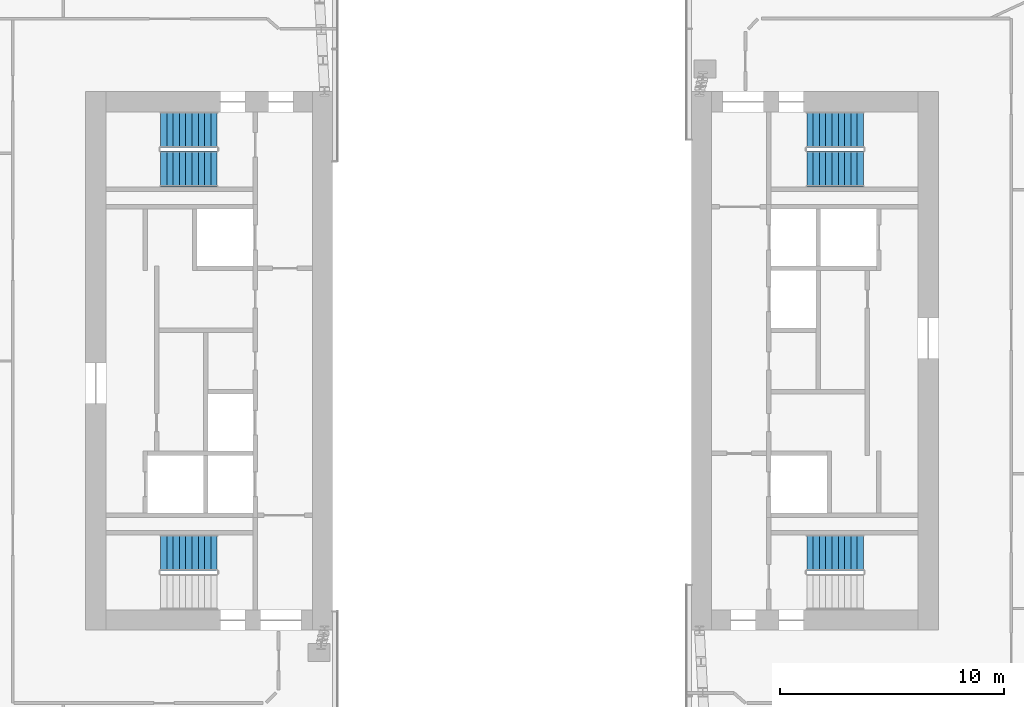
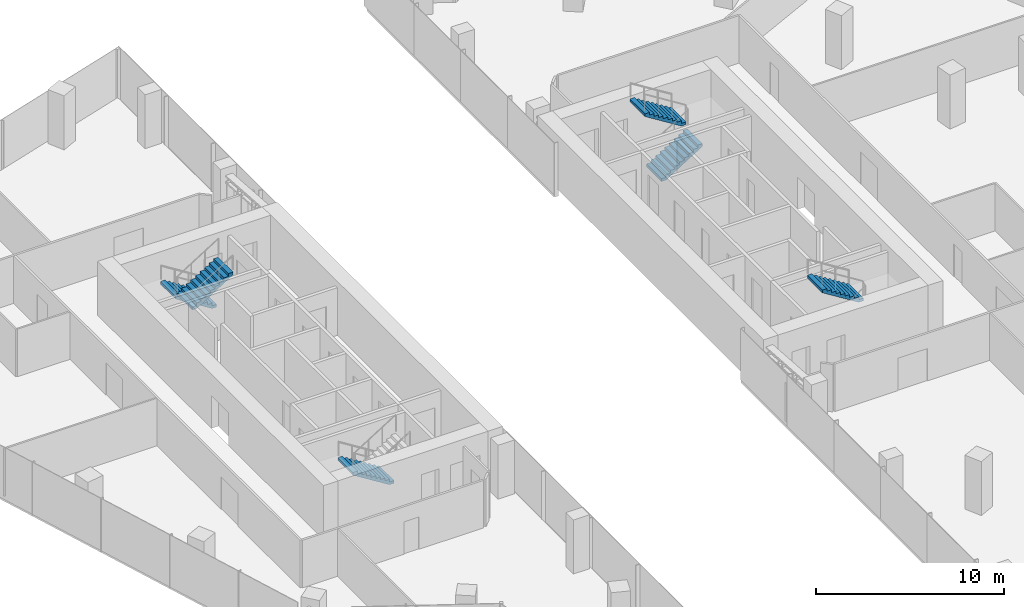
# One storey, part 21 of 23: 6 stair flights, 4 elements without a shape of their own.
"""IFC4 building model written with IfcOpenShell, lengths in metres."""

import ifcopenshell
import ifcopenshell.guid

model = None  # the IFC model being written
_history = None  # IfcOwnerHistory: only IFC2X3 demands one
_inside = {}  # id of a spatial element -> (the spatial element, [elements in it])
_under = {}  # id of a project, library or spatial element -> (it, [spatial elements below it])
_declared = {}  # id of a project -> (the project, [libraries it declares])
_typed = {}  # id of a type object -> (the type object, [elements of that type])
_made_of = {}  # id of a material, layer set ... -> (it, [elements and type objects made of it])


def new_model(schema):
    """Start an empty IFC model of exactly this schema.

    Asked for "IFC4X3", IfcOpenShell would pick the latest addendum, in which some entities
    have other attributes; the version numbers below select the first issue.
    IFC2X3 requires an IfcOwnerHistory on every rooted entity: one is made here for all.
    """
    global model, _history
    if schema == "IFC4X3":
        model = ifcopenshell.file(schema_version=(4, 3, 0, 0))
    else:
        model = ifcopenshell.file(schema=schema)
    _inside.clear()
    _under.clear()
    _declared.clear()
    _typed.clear()
    _made_of.clear()
    _history = None
    if model.schema == "IFC2X3":
        org = make("IfcOrganization", Name="unknown")
        user = make(
            "IfcPersonAndOrganization",
            ThePerson=make("IfcPerson", FamilyName="unknown"),
            TheOrganization=org,
        )
        app = make(
            "IfcApplication",
            ApplicationDeveloper=org,
            Version="unknown",
            ApplicationFullName="unknown",
            ApplicationIdentifier="unknown",
        )
        _history = make(
            "IfcOwnerHistory",
            OwningUser=user,
            OwningApplication=app,
            ChangeAction="ADDED",
            CreationDate=0,
        )
    return model


def make(cls, **values):
    """One entity of the class cls with the attributes given. An attribute that is None is left unset."""
    return model.create_entity(
        cls, **{name: value for name, value in values.items() if value is not None}
    )


def rooted(cls, **values):
    """An entity with a GlobalId (a new one), such as an element, a storey or a relation."""
    return make(cls, GlobalId=ifcopenshell.guid.new(), OwnerHistory=_history, **values)


def si_unit(unit_type, name, prefix=None):
    """IfcSIUnit, for example si_unit("LENGTHUNIT", "METRE", prefix="MILLI")."""
    return make("IfcSIUnit", UnitType=unit_type, Prefix=prefix, Name=name)


def assignment(units):
    """IfcUnitAssignment: the units of a project."""
    return None if units is None else make("IfcUnitAssignment", Units=units)


def point(xyz):
    """IfcCartesianPoint."""
    return None if xyz is None else make("IfcCartesianPoint", Coordinates=xyz)


def direction(xyz):
    """IfcDirection."""
    return None if xyz is None else make("IfcDirection", DirectionRatios=xyz)


def frame(location, z_axis=None, x_axis=None):
    """IfcAxis2Placement3D, a coordinate frame: its origin and axes. An axis left out is left unset."""
    return make(
        "IfcAxis2Placement3D",
        Location=point(location),
        Axis=direction(z_axis),
        RefDirection=direction(x_axis),
    )


def origin():
    """The frame at (0, 0, 0) with its axes left unset."""
    return frame((0.0, 0.0, 0.0))


def place(relative_to, where):
    """IfcLocalPlacement: puts the frame where relative to a parent placement (None: the world)."""
    return make(
        "IfcLocalPlacement", PlacementRelTo=relative_to, RelativePlacement=where
    )


def context(
    kind, dimensions, precision=None, world=None, true_north=None, identifier=None
):
    """IfcGeometricRepresentationContext, for example the 3D "Model" context."""
    return make(
        "IfcGeometricRepresentationContext",
        ContextIdentifier=identifier,
        ContextType=kind,
        CoordinateSpaceDimension=dimensions,
        Precision=precision,
        WorldCoordinateSystem=world,
        TrueNorth=true_north,
    )


def subcontext(parent, identifier, kind, view, scale=None):
    """IfcGeometricRepresentationSubContext, for example "Body" below "Model"."""
    return make(
        "IfcGeometricRepresentationSubContext",
        ContextIdentifier=identifier,
        ContextType=kind,
        ParentContext=parent,
        TargetScale=scale,
        TargetView=view,
    )


def project(units=None, contexts=None):
    """IfcProject with its units and contexts."""
    return rooted(
        "IfcProject",
        Name="project",
        RepresentationContexts=contexts,
        UnitsInContext=assignment(units),
    )


def spatial(cls, under=None, at=None, **own):
    """A site, building, storey or space (cls), placed at a placement, below another one or the project."""
    s = rooted(cls, ObjectPlacement=at, **own)
    if under is not None:
        _under.setdefault(under.id(), (under, []))[1].append(s)
    return s


def polyline(points):
    """IfcPolyline through the points."""
    return make("IfcPolyline", Points=[point(p) for p in points])


def outline(outer, holes=None, kind="AREA"):
    """IfcArbitraryClosedProfileDef: a profile drawn as a closed curve; with holes, ...WithVoids."""
    if holes is None:
        return make("IfcArbitraryClosedProfileDef", ProfileType=kind, OuterCurve=outer)
    return make(
        "IfcArbitraryProfileDefWithVoids",
        ProfileType=kind,
        OuterCurve=outer,
        InnerCurves=holes,
    )


def extrude(swept, where, along, depth):
    """IfcExtrudedAreaSolid: the profile swept, set in the frame where, extruded along a direction by depth."""
    return make(
        "IfcExtrudedAreaSolid",
        SweptArea=swept,
        Position=where,
        ExtrudedDirection=direction(along),
        Depth=depth,
    )


def shape(context_of_items, identifier, shape_type, items):
    """IfcShapeRepresentation: the items that make up one representation, for example the "Body"."""
    return make(
        "IfcShapeRepresentation",
        ContextOfItems=context_of_items,
        RepresentationIdentifier=identifier,
        RepresentationType=shape_type,
        Items=items,
    )


def material(Name=None, Category=None):
    """IfcMaterial."""
    return make("IfcMaterial", Name=Name, Category=Category)


def made_of(thing, what):
    """Note that an element or type object is made of a material, layer set ...; save() writes the relation."""
    if what is not None:
        _made_of.setdefault(what.id(), (what, []))[1].append(thing)
    return thing


def type_object(cls, material=None, **own):
    """A type object (cls), such as IfcWallType, which elements share."""
    return made_of(rooted(cls, **own), material)


def element(
    cls,
    number,
    at=None,
    inside=None,
    cuts=None,
    type_object=None,
    material=None,
    context=None,
    identifier="Body",
    shape_type=None,
    held_by="IfcProductDefinitionShape",
    body=None,
    shapes=None,
    **own,
):
    """One element of the class cls, such as IfcWall. Its Tag is "e" and its number.

    at: its placement. inside: the storey or other place that contains it. cuts: it is an
    opening in that element (IfcRelVoidsElement). A single representation is given by context,
    identifier, shape_type and body (its items); several are given by shapes. held_by: the class
    of the entity that holds the representations. save() writes the other relations.
    """
    e = rooted(cls, Tag="e%d" % number, ObjectPlacement=at, **own)
    if body is not None:
        shapes = [shape(context, identifier, shape_type, body)]
    if shapes is not None:
        e.Representation = make(held_by, Representations=shapes)
    if inside is not None:
        _inside.setdefault(inside.id(), (inside, []))[1].append(e)
    if cuts is not None:
        rooted(
            "IfcRelVoidsElement", RelatingBuildingElement=cuts, RelatedOpeningElement=e
        )
    if type_object is not None:
        _typed.setdefault(type_object.id(), (type_object, []))[1].append(e)
    return made_of(e, material)


def aggregate(whole, parts):
    """IfcRelAggregates: a whole, such as a stair, and the parts it consists of."""
    return rooted("IfcRelAggregates", RelatingObject=whole, RelatedObjects=parts)


def save(model, path):
    """Write the relations noted so far, then the file.

    IfcRelAggregates (storeys below a building ...), IfcRelContainedInSpatialStructure (elements
    in a storey), IfcRelDefinesByType, IfcRelAssociatesMaterial and IfcRelDeclares: one each for
    every whole, place, type object, material and project.
    """
    for whole, parts in _under.values():
        aggregate(whole, parts)
    for where, things in _inside.values():
        rooted(
            "IfcRelContainedInSpatialStructure",
            RelatedElements=things,
            RelatingStructure=where,
        )
    for kind, things in _typed.values():
        rooted("IfcRelDefinesByType", RelatedObjects=things, RelatingType=kind)
    for what, things in _made_of.values():
        rooted("IfcRelAssociatesMaterial", RelatedObjects=things, RelatingMaterial=what)
    for by, libraries in _declared.values():
        rooted("IfcRelDeclares", RelatingContext=by, RelatedDefinitions=libraries)
    model.write(path)


model = new_model("IFC4")

# Units and contexts
model_context = context("Model", 3, precision=1e-05, world=origin(), true_north=direction((0.0, 1.0)))
body_context = subcontext(model_context, "Body", "Model", "MODEL_VIEW")
ifc_project = project(units=[si_unit("LENGTHUNIT", "METRE"), si_unit("AREAUNIT", "SQUARE_METRE"), si_unit("VOLUMEUNIT", "CUBIC_METRE"), si_unit("PLANEANGLEUNIT", "RADIAN"), si_unit("MASSUNIT", "GRAM", prefix="KILO")], contexts=[model_context])

# Site, building, storey
site_placement = place(None, origin())
site = spatial("IfcSite", under=ifc_project, at=site_placement, CompositionType="ELEMENT")
building_placement = place(site_placement, origin())
building = spatial("IfcBuilding", under=site, at=building_placement, Name="Orlundy Tower", CompositionType="ELEMENT")
storey_placement = place(building_placement, frame((0.0, 0.0, 264.0)))
storey = spatial("IfcBuildingStorey", under=building, at=storey_placement, Name="L70", CompositionType="ELEMENT", Elevation=264.0)

# Stair, stair flights
ifc_material_1 = material(Name="Concrete C50/60", Category="concrete")
stair_type = type_object("IfcStairType", Name="Exit Stair 20 risers", PredefinedType="HALF_TURN_STAIR", material=ifc_material_1)
stair_1_placement = place(storey_placement, origin())
stair_1 = element("IfcStair", 1, at=stair_1_placement, inside=storey, type_object=stair_type, Name="L70 Exit Stair ST-W1", PredefinedType="HALF_TURN_STAIR")
ifc_material_2 = material(Name="Concrete C50/60", Category="concrete")
stair_flight_type = type_object("IfcStairFlightType", Name="Stair Flight 10 risers", PredefinedType="STRAIGHT", material=ifc_material_2)
stair_flight_1_placement = place(storey_placement, frame((-13.139892578125, 10.300048828125, 0.0), z_axis=(0.0, 0.0, 1.0), x_axis=(-1.0, 0.0, 0.0)))
stair_flight_1 = element("IfcStairFlight", 2, at=stair_flight_1_placement, type_object=stair_flight_type, Name="ST-W1 flight 1", NumberOfRisers=10, NumberOfTreads=9, PredefinedType="STRAIGHT", RiserHeight=0.175, TreadLength=0.28, context=body_context, shape_type="SweptSolid", body=[
    extrude(outline(polyline([(0.0, 0.0), (0.0, 0.175048828125), (0.280029296875, 0.175048828125), (0.280029296875, 0.35009765625), (0.56005859375, 0.35009765625), (0.56005859375, 0.52490234375), (0.840087890625, 0.52490234375), (0.840087890625, 0.699951171875), (1.1201171875, 0.699951171875), (1.1201171875, 0.875), (1.39990234375, 0.875), (1.39990234375, 1.050048828125), (1.679931640625, 1.050048828125), (1.679931640625, 1.22509765625), (1.9599609375, 1.22509765625), (1.9599609375, 1.39990234375), (2.239990234375, 1.39990234375), (2.239990234375, 1.574951171875), (2.52001953125, 1.574951171875), (2.52001953125, 1.75), (2.52001953125, 1.398193359375), (0.28271484375, 0.0), (0.0, 0.0)])), frame((0.0, 0.800048828125, 0.0), z_axis=(0.0, -1.0, 0.0), x_axis=(1.0, 0.0, 0.0)), (0.0, 0.0, 1.0), 1.60009765625),
])
stair_flight_2_placement = place(storey_placement, frame((-15.659912109375, 8.550048828125, 1.75), z_axis=(0.0, 0.0, 1.0), x_axis=(1.0, 0.0, 0.0)))
stair_flight_2 = element("IfcStairFlight", 3, at=stair_flight_2_placement, type_object=stair_flight_type, Name="ST-W1 flight 2", NumberOfRisers=10, NumberOfTreads=9, PredefinedType="STRAIGHT", RiserHeight=0.175, TreadLength=0.28, context=body_context, shape_type="SweptSolid", body=[
    extrude(outline(polyline([(0.0, 0.0), (0.0, 0.175048828125), (0.280029296875, 0.175048828125), (0.280029296875, 0.35009765625), (0.56005859375, 0.35009765625), (0.56005859375, 0.52490234375), (0.840087890625, 0.52490234375), (0.840087890625, 0.699951171875), (1.1201171875, 0.699951171875), (1.1201171875, 0.875), (1.39990234375, 0.875), (1.39990234375, 1.050048828125), (1.679931640625, 1.050048828125), (1.679931640625, 1.22509765625), (1.9599609375, 1.22509765625), (1.9599609375, 1.39990234375), (2.239990234375, 1.39990234375), (2.239990234375, 1.574951171875), (2.52001953125, 1.574951171875), (2.52001953125, 1.75), (2.52001953125, 1.398193359375), (0.28271484375, 0.0), (0.0, 0.0)])), frame((0.0, 0.800048828125, 0.0), z_axis=(0.0, -1.0, 0.0), x_axis=(1.0, 0.0, 0.0)), (0.0, 0.0, 1.0), 1.60009765625),
])
aggregate(stair_1, [stair_flight_1, stair_flight_2])

# Stair, stair flight
stair_2_placement = place(storey_placement, origin())
stair_2 = element("IfcStair", 4, at=stair_2_placement, inside=storey, type_object=stair_type, Name="L70 Exit Stair ST-W2", PredefinedType="HALF_TURN_STAIR")
stair_flight_3_placement = place(storey_placement, frame((-13.139892578125, -8.550048828125, 0.0), z_axis=(0.0, 0.0, 1.0), x_axis=(-1.0, 0.0, 0.0)))
stair_flight_3 = element("IfcStairFlight", 5, at=stair_flight_3_placement, type_object=stair_flight_type, Name="ST-W2 flight 1", NumberOfRisers=10, NumberOfTreads=9, PredefinedType="STRAIGHT", RiserHeight=0.175, TreadLength=0.28, context=body_context, shape_type="SweptSolid", body=[
    extrude(outline(polyline([(0.0, 0.0), (0.0, 0.175048828125), (0.280029296875, 0.175048828125), (0.280029296875, 0.35009765625), (0.56005859375, 0.35009765625), (0.56005859375, 0.52490234375), (0.840087890625, 0.52490234375), (0.840087890625, 0.699951171875), (1.1201171875, 0.699951171875), (1.1201171875, 0.875), (1.39990234375, 0.875), (1.39990234375, 1.050048828125), (1.679931640625, 1.050048828125), (1.679931640625, 1.22509765625), (1.9599609375, 1.22509765625), (1.9599609375, 1.39990234375), (2.239990234375, 1.39990234375), (2.239990234375, 1.574951171875), (2.52001953125, 1.574951171875), (2.52001953125, 1.75), (2.52001953125, 1.398193359375), (0.28271484375, 0.0), (0.0, 0.0)])), frame((0.0, 0.800048828125, 0.0), z_axis=(0.0, -1.0, 0.0), x_axis=(1.0, 0.0, 0.0)), (0.0, 0.0, 1.0), 1.60009765625),
])
aggregate(stair_2, [stair_flight_3])

stair_3_placement = place(storey_placement, origin())
stair_3 = element("IfcStair", 6, at=stair_3_placement, inside=storey, type_object=stair_type, Name="L70 Exit Stair ST-E1", PredefinedType="HALF_TURN_STAIR")
stair_flight_4_placement = place(storey_placement, frame((15.659912109375, -8.550048828125, 1.75), z_axis=(0.0, 0.0, 1.0), x_axis=(-1.0, 0.0, 0.0)))
stair_flight_4 = element("IfcStairFlight", 7, at=stair_flight_4_placement, type_object=stair_flight_type, Name="ST-E1 flight 2", NumberOfRisers=10, NumberOfTreads=9, PredefinedType="STRAIGHT", RiserHeight=0.175, TreadLength=0.28, context=body_context, shape_type="SweptSolid", body=[
    extrude(outline(polyline([(0.0, 0.0), (0.0, 0.175048828125), (0.280029296875, 0.175048828125), (0.280029296875, 0.35009765625), (0.56005859375, 0.35009765625), (0.56005859375, 0.52490234375), (0.840087890625, 0.52490234375), (0.840087890625, 0.699951171875), (1.1201171875, 0.699951171875), (1.1201171875, 0.875), (1.39990234375, 0.875), (1.39990234375, 1.050048828125), (1.679931640625, 1.050048828125), (1.679931640625, 1.22509765625), (1.9599609375, 1.22509765625), (1.9599609375, 1.39990234375), (2.239990234375, 1.39990234375), (2.239990234375, 1.574951171875), (2.52001953125, 1.574951171875), (2.52001953125, 1.75), (2.52001953125, 1.398193359375), (0.28271484375, 0.0), (0.0, 0.0)])), frame((0.0, 0.800048828125, 0.0), z_axis=(0.0, -1.0, 0.0), x_axis=(1.0, 0.0, 0.0)), (0.0, 0.0, 1.0), 1.60009765625),
])
aggregate(stair_3, [stair_flight_4])

# Stair, stair flights
stair_4_placement = place(storey_placement, origin())
stair_4 = element("IfcStair", 8, at=stair_4_placement, inside=storey, type_object=stair_type, Name="L70 Exit Stair ST-E2", PredefinedType="HALF_TURN_STAIR")
stair_flight_5_placement = place(storey_placement, frame((13.139892578125, 8.550048828125, 0.0), z_axis=(0.0, 0.0, 1.0), x_axis=(1.0, 0.0, 0.0)))
stair_flight_5 = element("IfcStairFlight", 9, at=stair_flight_5_placement, type_object=stair_flight_type, Name="ST-E2 flight 1", NumberOfRisers=10, NumberOfTreads=9, PredefinedType="STRAIGHT", RiserHeight=0.175, TreadLength=0.28, context=body_context, shape_type="SweptSolid", body=[
    extrude(outline(polyline([(0.0, 0.0), (0.0, 0.175048828125), (0.280029296875, 0.175048828125), (0.280029296875, 0.35009765625), (0.56005859375, 0.35009765625), (0.56005859375, 0.52490234375), (0.840087890625, 0.52490234375), (0.840087890625, 0.699951171875), (1.1201171875, 0.699951171875), (1.1201171875, 0.875), (1.39990234375, 0.875), (1.39990234375, 1.050048828125), (1.679931640625, 1.050048828125), (1.679931640625, 1.22509765625), (1.9599609375, 1.22509765625), (1.9599609375, 1.39990234375), (2.239990234375, 1.39990234375), (2.239990234375, 1.574951171875), (2.52001953125, 1.574951171875), (2.52001953125, 1.75), (2.52001953125, 1.398193359375), (0.28271484375, 0.0), (0.0, 0.0)])), frame((0.0, 0.800048828125, 0.0), z_axis=(0.0, -1.0, 0.0), x_axis=(1.0, 0.0, 0.0)), (0.0, 0.0, 1.0), 1.60009765625),
])
stair_flight_6_placement = place(storey_placement, frame((15.659912109375, 10.300048828125, 1.75), z_axis=(0.0, 0.0, 1.0), x_axis=(-1.0, 0.0, 0.0)))
stair_flight_6 = element("IfcStairFlight", 10, at=stair_flight_6_placement, type_object=stair_flight_type, Name="ST-E2 flight 2", NumberOfRisers=10, NumberOfTreads=9, PredefinedType="STRAIGHT", RiserHeight=0.175, TreadLength=0.28, context=body_context, shape_type="SweptSolid", body=[
    extrude(outline(polyline([(0.0, 0.0), (0.0, 0.175048828125), (0.280029296875, 0.175048828125), (0.280029296875, 0.35009765625), (0.56005859375, 0.35009765625), (0.56005859375, 0.52490234375), (0.840087890625, 0.52490234375), (0.840087890625, 0.699951171875), (1.1201171875, 0.699951171875), (1.1201171875, 0.875), (1.39990234375, 0.875), (1.39990234375, 1.050048828125), (1.679931640625, 1.050048828125), (1.679931640625, 1.22509765625), (1.9599609375, 1.22509765625), (1.9599609375, 1.39990234375), (2.239990234375, 1.39990234375), (2.239990234375, 1.574951171875), (2.52001953125, 1.574951171875), (2.52001953125, 1.75), (2.52001953125, 1.398193359375), (0.28271484375, 0.0), (0.0, 0.0)])), frame((0.0, 0.800048828125, 0.0), z_axis=(0.0, -1.0, 0.0), x_axis=(1.0, 0.0, 0.0)), (0.0, 0.0, 1.0), 1.60009765625),
])
aggregate(stair_4, [stair_flight_5, stair_flight_6])

save(model, "model.ifc")
